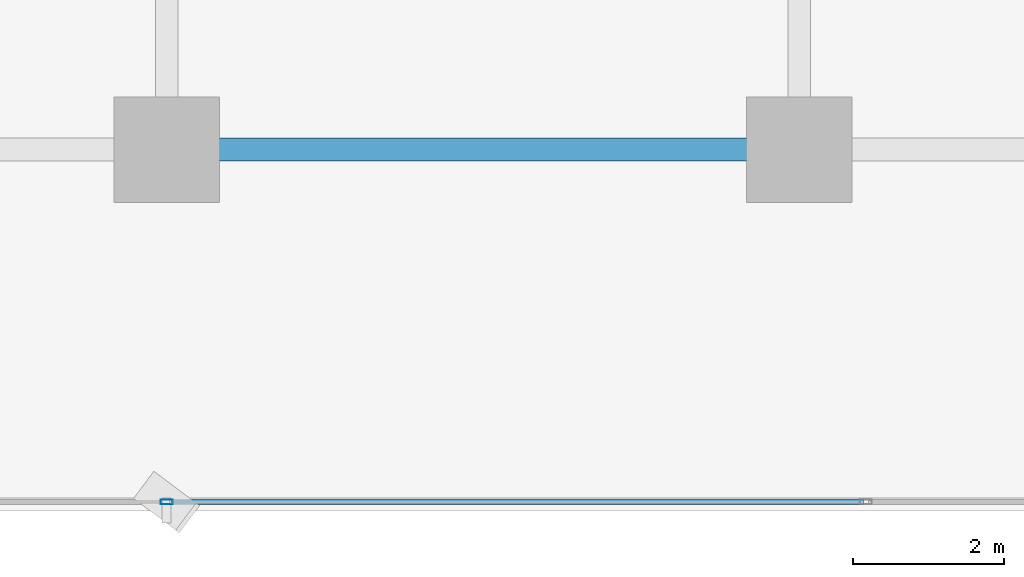
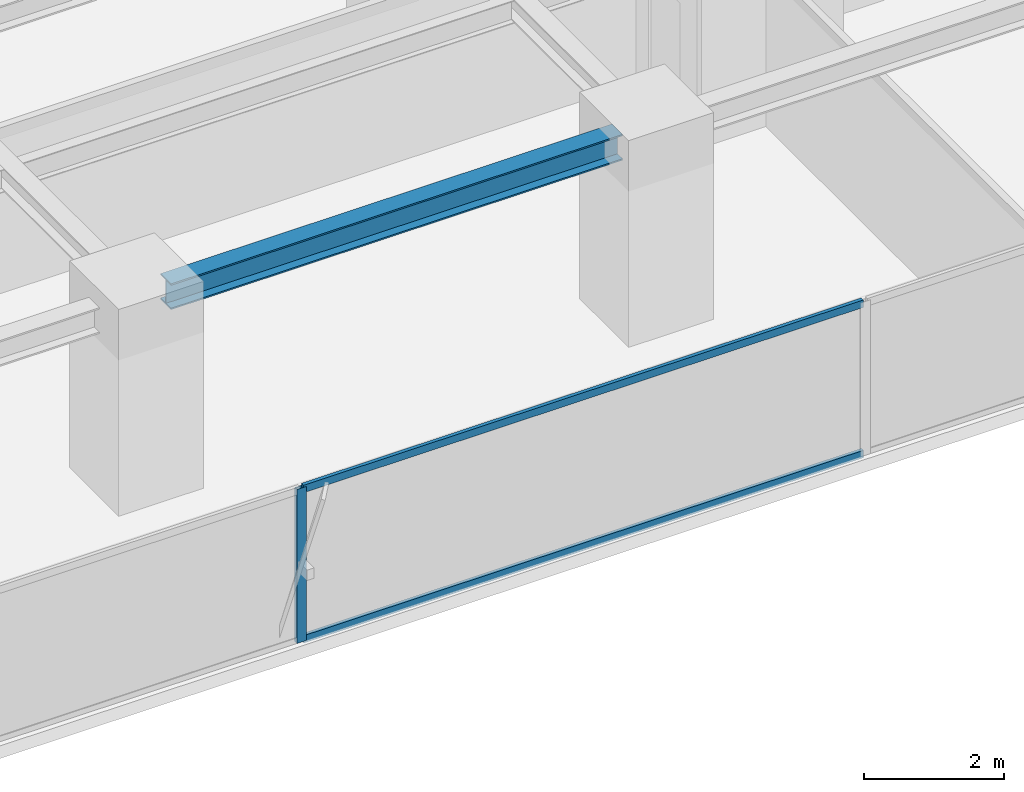
# One storey, part 5 of 28: 3 members, 1 beam, 1 element without a shape of its own.
"""IFC4 building model written with IfcOpenShell, lengths in metres."""

import ifcopenshell
import ifcopenshell.guid

model = None  # the IFC model being written
_history = None  # IfcOwnerHistory: only IFC2X3 demands one
_inside = {}  # id of a spatial element -> (the spatial element, [elements in it])
_under = {}  # id of a project, library or spatial element -> (it, [spatial elements below it])
_declared = {}  # id of a project -> (the project, [libraries it declares])
_typed = {}  # id of a type object -> (the type object, [elements of that type])
_made_of = {}  # id of a material, layer set ... -> (it, [elements and type objects made of it])


def new_model(schema):
    """Start an empty IFC model of exactly this schema.

    Asked for "IFC4X3", IfcOpenShell would pick the latest addendum, in which some entities
    have other attributes; the version numbers below select the first issue.
    IFC2X3 requires an IfcOwnerHistory on every rooted entity: one is made here for all.
    """
    global model, _history
    if schema == "IFC4X3":
        model = ifcopenshell.file(schema_version=(4, 3, 0, 0))
    else:
        model = ifcopenshell.file(schema=schema)
    _inside.clear()
    _under.clear()
    _declared.clear()
    _typed.clear()
    _made_of.clear()
    _history = None
    if model.schema == "IFC2X3":
        org = make("IfcOrganization", Name="unknown")
        user = make(
            "IfcPersonAndOrganization",
            ThePerson=make("IfcPerson", FamilyName="unknown"),
            TheOrganization=org,
        )
        app = make(
            "IfcApplication",
            ApplicationDeveloper=org,
            Version="unknown",
            ApplicationFullName="unknown",
            ApplicationIdentifier="unknown",
        )
        _history = make(
            "IfcOwnerHistory",
            OwningUser=user,
            OwningApplication=app,
            ChangeAction="ADDED",
            CreationDate=0,
        )
    return model


def make(cls, **values):
    """One entity of the class cls with the attributes given. An attribute that is None is left unset."""
    return model.create_entity(
        cls, **{name: value for name, value in values.items() if value is not None}
    )


def rooted(cls, **values):
    """An entity with a GlobalId (a new one), such as an element, a storey or a relation."""
    return make(cls, GlobalId=ifcopenshell.guid.new(), OwnerHistory=_history, **values)


def si_unit(unit_type, name, prefix=None):
    """IfcSIUnit, for example si_unit("LENGTHUNIT", "METRE", prefix="MILLI")."""
    return make("IfcSIUnit", UnitType=unit_type, Prefix=prefix, Name=name)


def assignment(units):
    """IfcUnitAssignment: the units of a project."""
    return None if units is None else make("IfcUnitAssignment", Units=units)


def point(xyz):
    """IfcCartesianPoint."""
    return None if xyz is None else make("IfcCartesianPoint", Coordinates=xyz)


def direction(xyz):
    """IfcDirection."""
    return None if xyz is None else make("IfcDirection", DirectionRatios=xyz)


def frame(location, z_axis=None, x_axis=None):
    """IfcAxis2Placement3D, a coordinate frame: its origin and axes. An axis left out is left unset."""
    return make(
        "IfcAxis2Placement3D",
        Location=point(location),
        Axis=direction(z_axis),
        RefDirection=direction(x_axis),
    )


def frame_2d(location, x_axis=None):
    """IfcAxis2Placement2D, a coordinate frame in the plane: its origin and x axis."""
    return make(
        "IfcAxis2Placement2D", Location=point(location), RefDirection=direction(x_axis)
    )


def origin():
    """The frame at (0, 0, 0) with its axes left unset."""
    return frame((0.0, 0.0, 0.0))


def origin_2d():
    """The frame at (0, 0) in the plane with its x axis left unset."""
    return frame_2d((0.0, 0.0))


def place(relative_to, where):
    """IfcLocalPlacement: puts the frame where relative to a parent placement (None: the world)."""
    return make(
        "IfcLocalPlacement", PlacementRelTo=relative_to, RelativePlacement=where
    )


def context(
    kind, dimensions, precision=None, world=None, true_north=None, identifier=None
):
    """IfcGeometricRepresentationContext, for example the 3D "Model" context."""
    return make(
        "IfcGeometricRepresentationContext",
        ContextIdentifier=identifier,
        ContextType=kind,
        CoordinateSpaceDimension=dimensions,
        Precision=precision,
        WorldCoordinateSystem=world,
        TrueNorth=true_north,
    )


def subcontext(parent, identifier, kind, view, scale=None):
    """IfcGeometricRepresentationSubContext, for example "Body" below "Model"."""
    return make(
        "IfcGeometricRepresentationSubContext",
        ContextIdentifier=identifier,
        ContextType=kind,
        ParentContext=parent,
        TargetScale=scale,
        TargetView=view,
    )


def project(units=None, contexts=None):
    """IfcProject with its units and contexts."""
    return rooted(
        "IfcProject",
        Name="project",
        RepresentationContexts=contexts,
        UnitsInContext=assignment(units),
    )


def spatial(cls, under=None, at=None, **own):
    """A site, building, storey or space (cls), placed at a placement, below another one or the project."""
    s = rooted(cls, ObjectPlacement=at, **own)
    if under is not None:
        _under.setdefault(under.id(), (under, []))[1].append(s)
    return s


def profile(cls, at=None, kind="AREA", **sizes):
    """A parametric profile (cls). Its sizes go by their IFC names, for example OverallWidth=200.0."""
    return make(cls, ProfileType=kind, Position=at, **sizes)


def hollow_rectangle(**sizes):
    """IfcRectangleHollowProfileDef."""
    return profile("IfcRectangleHollowProfileDef", **sizes)


def i_section(**sizes):
    """IfcIShapeProfileDef."""
    return profile("IfcIShapeProfileDef", **sizes)


def extrude(swept, where, along, depth):
    """IfcExtrudedAreaSolid: the profile swept, set in the frame where, extruded along a direction by depth."""
    return make(
        "IfcExtrudedAreaSolid",
        SweptArea=swept,
        Position=where,
        ExtrudedDirection=direction(along),
        Depth=depth,
    )


def shape(context_of_items, identifier, shape_type, items):
    """IfcShapeRepresentation: the items that make up one representation, for example the "Body"."""
    return make(
        "IfcShapeRepresentation",
        ContextOfItems=context_of_items,
        RepresentationIdentifier=identifier,
        RepresentationType=shape_type,
        Items=items,
    )


def source(mapping_origin, context_of_items, identifier, shape_type, items):
    """IfcRepresentationMap: a shape defined once, which mapped items show again and again."""
    return make(
        "IfcRepresentationMap",
        MappingOrigin=mapping_origin,
        MappedRepresentation=shape(context_of_items, identifier, shape_type, items),
    )


def transform(
    local_origin,
    x_axis=None,
    y_axis=None,
    z_axis=None,
    scale=None,
    scale2=None,
    scale3=None,
    uniform=True,
):
    """IfcCartesianTransformationOperator3D, or its non-uniform kind. x_axis, y_axis, z_axis: its Axis1, 2, 3."""
    if uniform:
        return make(
            "IfcCartesianTransformationOperator3D",
            Axis1=direction(x_axis),
            Axis2=direction(y_axis),
            LocalOrigin=point(local_origin),
            Scale=scale,
            Axis3=direction(z_axis),
        )
    return make(
        "IfcCartesianTransformationOperator3DnonUniform",
        Axis1=direction(x_axis),
        Axis2=direction(y_axis),
        LocalOrigin=point(local_origin),
        Scale=scale,
        Axis3=direction(z_axis),
        Scale2=scale2,
        Scale3=scale3,
    )


def mapped(mapping_source, mapping_target):
    """IfcMappedItem: shows the shape of a source again, moved by a transform."""
    return make(
        "IfcMappedItem", MappingSource=mapping_source, MappingTarget=mapping_target
    )


def material(Name=None, Category=None):
    """IfcMaterial."""
    return make("IfcMaterial", Name=Name, Category=Category)


def layer(
    of_material, thickness, ventilated=None, Name=None, Category=None, Priority=None
):
    """IfcMaterialLayer: one layer of a wall or slab, of a material (None: an air gap)."""
    return make(
        "IfcMaterialLayer",
        Material=of_material,
        LayerThickness=thickness,
        IsVentilated=ventilated,
        Name=Name,
        Category=Category,
        Priority=Priority,
    )


def layer_set(layers, Name=None):
    """IfcMaterialLayerSet."""
    return make("IfcMaterialLayerSet", MaterialLayers=layers, LayerSetName=Name)


def material_profile(
    of_material, cross_section, Name=None, Category=None, Priority=None
):
    """IfcMaterialProfile: a cross section and its material."""
    return make(
        "IfcMaterialProfile",
        Name=Name,
        Material=of_material,
        Profile=cross_section,
        Priority=Priority,
        Category=Category,
    )


def profile_set(profiles, Name=None, composite=None):
    """IfcMaterialProfileSet."""
    return make(
        "IfcMaterialProfileSet",
        Name=Name,
        MaterialProfiles=profiles,
        CompositeProfile=composite,
    )


def made_of(thing, what):
    """Note that an element or type object is made of a material, layer set ...; save() writes the relation."""
    if what is not None:
        _made_of.setdefault(what.id(), (what, []))[1].append(thing)
    return thing


def type_object(cls, material=None, **own):
    """A type object (cls), such as IfcWallType, which elements share."""
    return made_of(rooted(cls, **own), material)


def element(
    cls,
    number,
    at=None,
    inside=None,
    cuts=None,
    type_object=None,
    material=None,
    context=None,
    identifier="Body",
    shape_type=None,
    held_by="IfcProductDefinitionShape",
    body=None,
    shapes=None,
    **own,
):
    """One element of the class cls, such as IfcWall. Its Tag is "e" and its number.

    at: its placement. inside: the storey or other place that contains it. cuts: it is an
    opening in that element (IfcRelVoidsElement). A single representation is given by context,
    identifier, shape_type and body (its items); several are given by shapes. held_by: the class
    of the entity that holds the representations. save() writes the other relations.
    """
    e = rooted(cls, Tag="e%d" % number, ObjectPlacement=at, **own)
    if body is not None:
        shapes = [shape(context, identifier, shape_type, body)]
    if shapes is not None:
        e.Representation = make(held_by, Representations=shapes)
    if inside is not None:
        _inside.setdefault(inside.id(), (inside, []))[1].append(e)
    if cuts is not None:
        rooted(
            "IfcRelVoidsElement", RelatingBuildingElement=cuts, RelatedOpeningElement=e
        )
    if type_object is not None:
        _typed.setdefault(type_object.id(), (type_object, []))[1].append(e)
    return made_of(e, material)


def aggregate(whole, parts):
    """IfcRelAggregates: a whole, such as a stair, and the parts it consists of."""
    return rooted("IfcRelAggregates", RelatingObject=whole, RelatedObjects=parts)


def save(model, path):
    """Write the relations noted so far, then the file.

    IfcRelAggregates (storeys below a building ...), IfcRelContainedInSpatialStructure (elements
    in a storey), IfcRelDefinesByType, IfcRelAssociatesMaterial and IfcRelDeclares: one each for
    every whole, place, type object, material and project.
    """
    for whole, parts in _under.values():
        aggregate(whole, parts)
    for where, things in _inside.values():
        rooted(
            "IfcRelContainedInSpatialStructure",
            RelatedElements=things,
            RelatingStructure=where,
        )
    for kind, things in _typed.values():
        rooted("IfcRelDefinesByType", RelatedObjects=things, RelatingType=kind)
    for what, things in _made_of.values():
        rooted("IfcRelAssociatesMaterial", RelatedObjects=things, RelatingMaterial=what)
    for by, libraries in _declared.values():
        rooted("IfcRelDeclares", RelatingContext=by, RelatedDefinitions=libraries)
    model.write(path)


model = new_model("IFC4")

# Units and contexts
model_context = context("Model", 3, precision=1e-05, world=origin(), true_north=direction((0.0, 1.0)))
body_context = subcontext(model_context, "Body", "Model", "MODEL_VIEW")
ifc_project = project(units=[si_unit("LENGTHUNIT", "METRE"), si_unit("AREAUNIT", "SQUARE_METRE"), si_unit("VOLUMEUNIT", "CUBIC_METRE"), si_unit("PLANEANGLEUNIT", "RADIAN"), si_unit("MASSUNIT", "GRAM", prefix="KILO")], contexts=[model_context])

# Site, building, storey
site_placement = place(None, origin())
site = spatial("IfcSite", under=ifc_project, at=site_placement, CompositionType="ELEMENT")
building_placement = place(site_placement, origin())
building = spatial("IfcBuilding", under=site, at=building_placement, Name="Sumidabori Civic Tower", CompositionType="ELEMENT")
storey_placement = place(building_placement, frame((0.0, 0.0, 185.60009765625)))
storey = spatial("IfcBuildingStorey", under=building, at=storey_placement, Name="L48", CompositionType="ELEMENT", Elevation=185.60009765625)

# Beam
ifc_material_1 = material(Name="Steel SN490", Category="steel")
ifc_material_profile_1 = material_profile(ifc_material_1, i_section(OverallWidth=0.300048828125, OverallDepth=0.449951171875, WebThickness=0.013916015625, FlangeThickness=0.02587890625, at=origin_2d()), Name="HE 450 B")
ifc_profile_set_1 = profile_set([ifc_material_profile_1], Name="Steel SN490")
beam_type = type_object("IfcBeamType", Name="BM-GIRD-450", PredefinedType="BEAM", material=ifc_profile_set_1)
shared_shape_1 = source(origin(), body_context, "Body", "SweptSolid", [
    extrude(i_section(OverallWidth=0.300048828125, OverallDepth=0.449951171875, WebThickness=0.013916015625, FlangeThickness=0.02587890625, at=origin_2d()), origin(), (0.0, 0.0, 1.0), 7.43994140625),
])
beam_placement = place(storey_placement, frame((0.47998046875, -18.0, 3.074951171875), z_axis=(1.0, 0.0, 0.0), x_axis=(0.0, 1.0, 0.0)))
element("IfcBeam", 1, at=beam_placement, inside=storey, type_object=beam_type, Name="Primary Girder L48 GX-03", PredefinedType="BEAM", context=body_context, shape_type="MappedRepresentation", body=[
    mapped(shared_shape_1, transform((0.0, 0.0, 0.0), x_axis=(1.0, 0.0, 0.0), y_axis=(0.0, 1.0, 0.0), z_axis=(0.0, 0.0, 1.0), scale=1.0)),
])

# Curtain wall, members
ifc_material_2 = material(Name="Anodised Bronze Aluminium AW-6063-T6", Category="aluminium")
ifc_layer = layer(ifc_material_2, 0.179931640625, Name="Anodised Bronze Aluminium AW-6063-T6")
ifc_layer_set = layer_set([ifc_layer], Name="Anodised Bronze Aluminium AW-6063-T6")
curtain_wall_type = type_object("IfcCurtainWallType", Name="CW-SYS-3", PredefinedType="NOTDEFINED", material=ifc_layer_set)
curtain_wall_placement = place(storey_placement, origin())
curtain_wall = element("IfcCurtainWall", 2, at=curtain_wall_placement, inside=storey, type_object=curtain_wall_type, Name="Curtain Wall CW:L48:R01", PredefinedType="NOTDEFINED")
ifc_material_profile_2 = material_profile(ifc_material_2, hollow_rectangle(XDim=0.06494140625, YDim=0.159912109375, WallThickness=0.0048828125, at=origin_2d()), Name="ALU MULLION 160x65")
ifc_profile_set_2 = profile_set([ifc_material_profile_2], Name="Anodised Bronze Aluminium AW-6063-T6")
member_type_1 = type_object("IfcMemberType", Name="CW-MUL-160", PredefinedType="MULLION", material=ifc_profile_set_2)
shared_shape_2 = source(origin(), body_context, "Body", "SweptSolid", [
    extrude(hollow_rectangle(XDim=0.06494140625, YDim=0.159912109375, WallThickness=0.0048828125, at=origin_2d()), origin(), (0.0, 0.0, 1.0), 2.679931640625),
])
member_1_placement = place(storey_placement, frame((0.0, -22.679931640625, 0.0), z_axis=(0.0, 0.0, 1.0), x_axis=(0.0, 1.0, 0.0)))
member_1 = element("IfcMember", 3, at=member_1_placement, type_object=member_type_1, Name="CW-3 mullion 3", PredefinedType="MULLION", context=body_context, shape_type="MappedRepresentation", body=[
    mapped(shared_shape_2, transform((0.0, 0.0, 0.0), x_axis=(1.0, 0.0, 0.0), y_axis=(0.0, 1.0, 0.0), z_axis=(0.0, 0.0, 1.0), scale=1.0)),
])
ifc_material_profile_3 = material_profile(ifc_material_2, hollow_rectangle(XDim=0.06005859375, YDim=0.1298828125, WallThickness=0.0048828125, at=origin_2d()), Name="ALU TRANSOM 130x60")
ifc_profile_set_3 = profile_set([ifc_material_profile_3], Name="Anodised Bronze Aluminium AW-6063-T6")
member_type_2 = type_object("IfcMemberType", Name="CW-TRN-130", PredefinedType="USERDEFINED", material=ifc_profile_set_3)
shared_shape_3 = source(origin(), body_context, "Body", "SweptSolid", [
    extrude(hollow_rectangle(XDim=0.06005859375, YDim=0.1298828125, WallThickness=0.0048828125, at=origin_2d()), origin(), (0.0, 0.0, 1.0), 9.219970703125),
])
member_2_placement = place(storey_placement, frame((0.032470703125, -22.679931640625, 0.02978515625), z_axis=(1.0, 0.0, 0.0), x_axis=(0.0, 1.0, 0.0)))
member_2 = element("IfcMember", 4, at=member_2_placement, type_object=member_type_2, Name="CW-3 transom 3.1", ObjectType="TRANSOM", PredefinedType="USERDEFINED", context=body_context, shape_type="MappedRepresentation", body=[
    mapped(shared_shape_3, transform((0.0, 0.0, 0.0), x_axis=(1.0, 0.0, 0.0), y_axis=(0.0, 1.0, 0.0), z_axis=(0.0, 0.0, 1.0), scale=1.0)),
])
member_3_placement = place(storey_placement, frame((0.032470703125, -22.679931640625, 2.64990234375), z_axis=(1.0, 0.0, 0.0), x_axis=(0.0, 1.0, 0.0)))
member_3 = element("IfcMember", 5, at=member_3_placement, type_object=member_type_2, Name="CW-3 transom 3.2", ObjectType="TRANSOM", PredefinedType="USERDEFINED", context=body_context, shape_type="MappedRepresentation", body=[
    mapped(shared_shape_3, transform((0.0, 0.0, 0.0), x_axis=(1.0, 0.0, 0.0), y_axis=(0.0, 1.0, 0.0), z_axis=(0.0, 0.0, 1.0), scale=1.0)),
])
aggregate(curtain_wall, [member_1, member_2, member_3])

save(model, "model.ifc")
